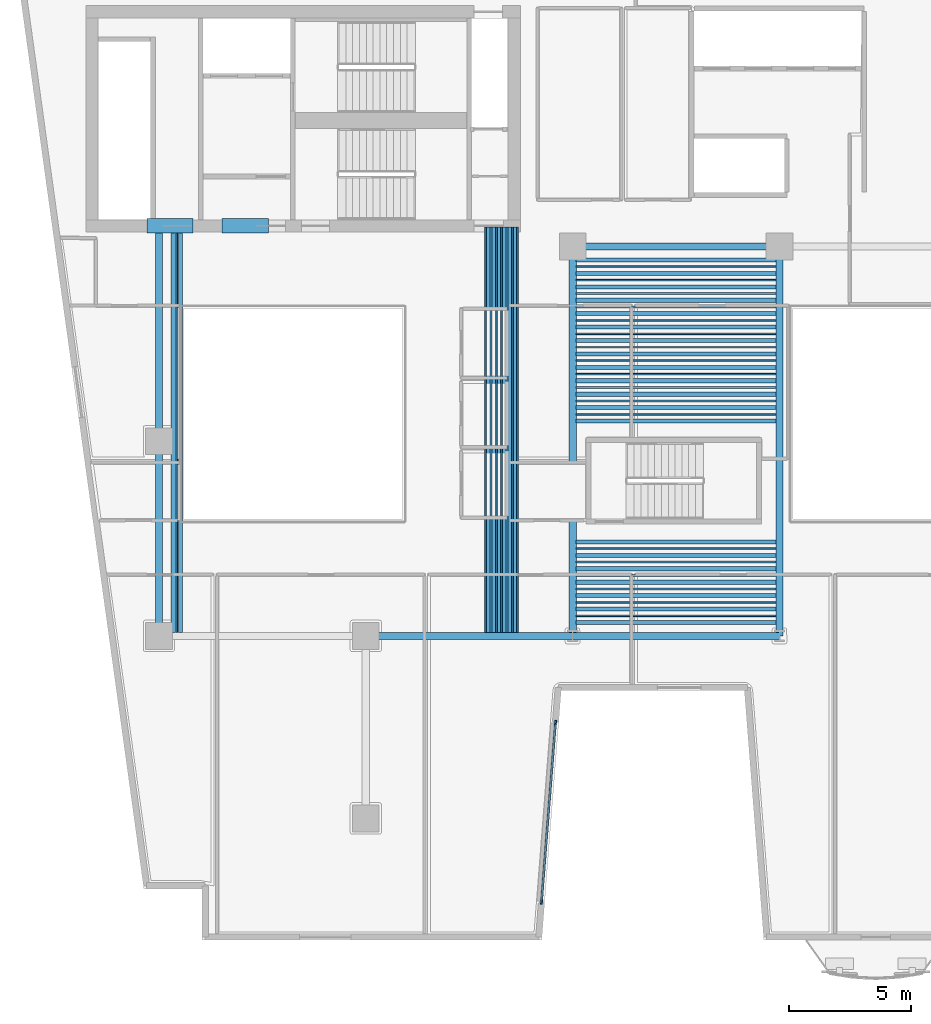
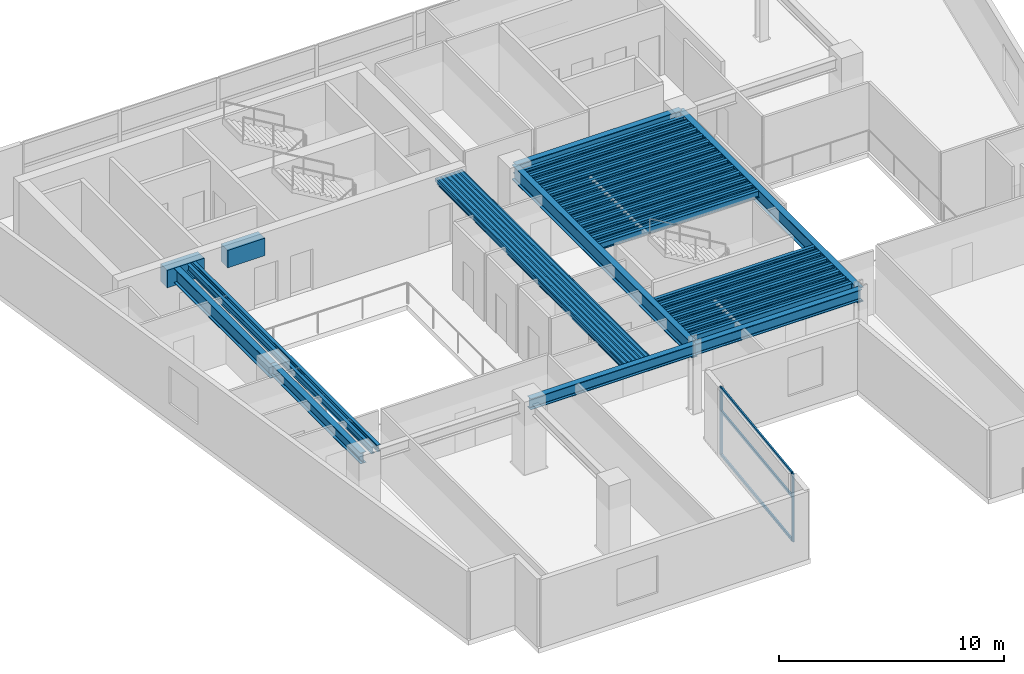
# One storey, part 2 of 12: 63 beams, 5 members, 1 element without a shape of its own.
"""IFC4 building model written with IfcOpenShell, lengths in metres."""

import ifcopenshell
import ifcopenshell.guid

model = None  # the IFC model being written
_history = None  # IfcOwnerHistory: only IFC2X3 demands one
_inside = {}  # id of a spatial element -> (the spatial element, [elements in it])
_under = {}  # id of a project, library or spatial element -> (it, [spatial elements below it])
_declared = {}  # id of a project -> (the project, [libraries it declares])
_typed = {}  # id of a type object -> (the type object, [elements of that type])
_made_of = {}  # id of a material, layer set ... -> (it, [elements and type objects made of it])


def new_model(schema):
    """Start an empty IFC model of exactly this schema.

    Asked for "IFC4X3", IfcOpenShell would pick the latest addendum, in which some entities
    have other attributes; the version numbers below select the first issue.
    IFC2X3 requires an IfcOwnerHistory on every rooted entity: one is made here for all.
    """
    global model, _history
    if schema == "IFC4X3":
        model = ifcopenshell.file(schema_version=(4, 3, 0, 0))
    else:
        model = ifcopenshell.file(schema=schema)
    _inside.clear()
    _under.clear()
    _declared.clear()
    _typed.clear()
    _made_of.clear()
    _history = None
    if model.schema == "IFC2X3":
        org = make("IfcOrganization", Name="unknown")
        user = make(
            "IfcPersonAndOrganization",
            ThePerson=make("IfcPerson", FamilyName="unknown"),
            TheOrganization=org,
        )
        app = make(
            "IfcApplication",
            ApplicationDeveloper=org,
            Version="unknown",
            ApplicationFullName="unknown",
            ApplicationIdentifier="unknown",
        )
        _history = make(
            "IfcOwnerHistory",
            OwningUser=user,
            OwningApplication=app,
            ChangeAction="ADDED",
            CreationDate=0,
        )
    return model


def make(cls, **values):
    """One entity of the class cls with the attributes given. An attribute that is None is left unset."""
    return model.create_entity(
        cls, **{name: value for name, value in values.items() if value is not None}
    )


def rooted(cls, **values):
    """An entity with a GlobalId (a new one), such as an element, a storey or a relation."""
    return make(cls, GlobalId=ifcopenshell.guid.new(), OwnerHistory=_history, **values)


def si_unit(unit_type, name, prefix=None):
    """IfcSIUnit, for example si_unit("LENGTHUNIT", "METRE", prefix="MILLI")."""
    return make("IfcSIUnit", UnitType=unit_type, Prefix=prefix, Name=name)


def assignment(units):
    """IfcUnitAssignment: the units of a project."""
    return None if units is None else make("IfcUnitAssignment", Units=units)


def point(xyz):
    """IfcCartesianPoint."""
    return None if xyz is None else make("IfcCartesianPoint", Coordinates=xyz)


def direction(xyz):
    """IfcDirection."""
    return None if xyz is None else make("IfcDirection", DirectionRatios=xyz)


def frame(location, z_axis=None, x_axis=None):
    """IfcAxis2Placement3D, a coordinate frame: its origin and axes. An axis left out is left unset."""
    return make(
        "IfcAxis2Placement3D",
        Location=point(location),
        Axis=direction(z_axis),
        RefDirection=direction(x_axis),
    )


def frame_2d(location, x_axis=None):
    """IfcAxis2Placement2D, a coordinate frame in the plane: its origin and x axis."""
    return make(
        "IfcAxis2Placement2D", Location=point(location), RefDirection=direction(x_axis)
    )


def origin():
    """The frame at (0, 0, 0) with its axes left unset."""
    return frame((0.0, 0.0, 0.0))


def origin_2d():
    """The frame at (0, 0) in the plane with its x axis left unset."""
    return frame_2d((0.0, 0.0))


def place(relative_to, where):
    """IfcLocalPlacement: puts the frame where relative to a parent placement (None: the world)."""
    return make(
        "IfcLocalPlacement", PlacementRelTo=relative_to, RelativePlacement=where
    )


def context(
    kind, dimensions, precision=None, world=None, true_north=None, identifier=None
):
    """IfcGeometricRepresentationContext, for example the 3D "Model" context."""
    return make(
        "IfcGeometricRepresentationContext",
        ContextIdentifier=identifier,
        ContextType=kind,
        CoordinateSpaceDimension=dimensions,
        Precision=precision,
        WorldCoordinateSystem=world,
        TrueNorth=true_north,
    )


def subcontext(parent, identifier, kind, view, scale=None):
    """IfcGeometricRepresentationSubContext, for example "Body" below "Model"."""
    return make(
        "IfcGeometricRepresentationSubContext",
        ContextIdentifier=identifier,
        ContextType=kind,
        ParentContext=parent,
        TargetScale=scale,
        TargetView=view,
    )


def project(units=None, contexts=None):
    """IfcProject with its units and contexts."""
    return rooted(
        "IfcProject",
        Name="project",
        RepresentationContexts=contexts,
        UnitsInContext=assignment(units),
    )


def spatial(cls, under=None, at=None, **own):
    """A site, building, storey or space (cls), placed at a placement, below another one or the project."""
    s = rooted(cls, ObjectPlacement=at, **own)
    if under is not None:
        _under.setdefault(under.id(), (under, []))[1].append(s)
    return s


def profile(cls, at=None, kind="AREA", **sizes):
    """A parametric profile (cls). Its sizes go by their IFC names, for example OverallWidth=200.0."""
    return make(cls, ProfileType=kind, Position=at, **sizes)


def rectangle(**sizes):
    """IfcRectangleProfileDef."""
    return profile("IfcRectangleProfileDef", **sizes)


def hollow_rectangle(**sizes):
    """IfcRectangleHollowProfileDef."""
    return profile("IfcRectangleHollowProfileDef", **sizes)


def i_section(**sizes):
    """IfcIShapeProfileDef."""
    return profile("IfcIShapeProfileDef", **sizes)


def extrude(swept, where, along, depth):
    """IfcExtrudedAreaSolid: the profile swept, set in the frame where, extruded along a direction by depth."""
    return make(
        "IfcExtrudedAreaSolid",
        SweptArea=swept,
        Position=where,
        ExtrudedDirection=direction(along),
        Depth=depth,
    )


def shape(context_of_items, identifier, shape_type, items):
    """IfcShapeRepresentation: the items that make up one representation, for example the "Body"."""
    return make(
        "IfcShapeRepresentation",
        ContextOfItems=context_of_items,
        RepresentationIdentifier=identifier,
        RepresentationType=shape_type,
        Items=items,
    )


def material(Name=None, Category=None):
    """IfcMaterial."""
    return make("IfcMaterial", Name=Name, Category=Category)


def layer(
    of_material, thickness, ventilated=None, Name=None, Category=None, Priority=None
):
    """IfcMaterialLayer: one layer of a wall or slab, of a material (None: an air gap)."""
    return make(
        "IfcMaterialLayer",
        Material=of_material,
        LayerThickness=thickness,
        IsVentilated=ventilated,
        Name=Name,
        Category=Category,
        Priority=Priority,
    )


def layer_set(layers, Name=None):
    """IfcMaterialLayerSet."""
    return make("IfcMaterialLayerSet", MaterialLayers=layers, LayerSetName=Name)


def material_profile(
    of_material, cross_section, Name=None, Category=None, Priority=None
):
    """IfcMaterialProfile: a cross section and its material."""
    return make(
        "IfcMaterialProfile",
        Name=Name,
        Material=of_material,
        Profile=cross_section,
        Priority=Priority,
        Category=Category,
    )


def profile_set(profiles, Name=None, composite=None):
    """IfcMaterialProfileSet."""
    return make(
        "IfcMaterialProfileSet",
        Name=Name,
        MaterialProfiles=profiles,
        CompositeProfile=composite,
    )


def made_of(thing, what):
    """Note that an element or type object is made of a material, layer set ...; save() writes the relation."""
    if what is not None:
        _made_of.setdefault(what.id(), (what, []))[1].append(thing)
    return thing


def type_object(cls, material=None, **own):
    """A type object (cls), such as IfcWallType, which elements share."""
    return made_of(rooted(cls, **own), material)


def element(
    cls,
    number,
    at=None,
    inside=None,
    cuts=None,
    type_object=None,
    material=None,
    context=None,
    identifier="Body",
    shape_type=None,
    held_by="IfcProductDefinitionShape",
    body=None,
    shapes=None,
    **own,
):
    """One element of the class cls, such as IfcWall. Its Tag is "e" and its number.

    at: its placement. inside: the storey or other place that contains it. cuts: it is an
    opening in that element (IfcRelVoidsElement). A single representation is given by context,
    identifier, shape_type and body (its items); several are given by shapes. held_by: the class
    of the entity that holds the representations. save() writes the other relations.
    """
    e = rooted(cls, Tag="e%d" % number, ObjectPlacement=at, **own)
    if body is not None:
        shapes = [shape(context, identifier, shape_type, body)]
    if shapes is not None:
        e.Representation = make(held_by, Representations=shapes)
    if inside is not None:
        _inside.setdefault(inside.id(), (inside, []))[1].append(e)
    if cuts is not None:
        rooted(
            "IfcRelVoidsElement", RelatingBuildingElement=cuts, RelatedOpeningElement=e
        )
    if type_object is not None:
        _typed.setdefault(type_object.id(), (type_object, []))[1].append(e)
    return made_of(e, material)


def aggregate(whole, parts):
    """IfcRelAggregates: a whole, such as a stair, and the parts it consists of."""
    return rooted("IfcRelAggregates", RelatingObject=whole, RelatedObjects=parts)


def save(model, path):
    """Write the relations noted so far, then the file.

    IfcRelAggregates (storeys below a building ...), IfcRelContainedInSpatialStructure (elements
    in a storey), IfcRelDefinesByType, IfcRelAssociatesMaterial and IfcRelDeclares: one each for
    every whole, place, type object, material and project.
    """
    for whole, parts in _under.values():
        aggregate(whole, parts)
    for where, things in _inside.values():
        rooted(
            "IfcRelContainedInSpatialStructure",
            RelatedElements=things,
            RelatingStructure=where,
        )
    for kind, things in _typed.values():
        rooted("IfcRelDefinesByType", RelatedObjects=things, RelatingType=kind)
    for what, things in _made_of.values():
        rooted("IfcRelAssociatesMaterial", RelatedObjects=things, RelatingMaterial=what)
    for by, libraries in _declared.values():
        rooted("IfcRelDeclares", RelatingContext=by, RelatedDefinitions=libraries)
    model.write(path)


model = new_model("IFC4")

# Units and contexts
model_context = context("Model", 3, precision=1e-05, world=origin(), true_north=direction((0.0, 1.0)))
body_context = subcontext(model_context, "Body", "Model", "MODEL_VIEW")
ifc_project = project(units=[si_unit("LENGTHUNIT", "METRE"), si_unit("AREAUNIT", "SQUARE_METRE"), si_unit("VOLUMEUNIT", "CUBIC_METRE"), si_unit("PLANEANGLEUNIT", "RADIAN"), si_unit("MASSUNIT", "GRAM", prefix="KILO")], contexts=[model_context])

# Site, building, storey
site_placement = place(None, origin())
site = spatial("IfcSite", under=ifc_project, at=site_placement, CompositionType="ELEMENT")
building_placement = place(site_placement, origin())
building = spatial("IfcBuilding", under=site, at=building_placement, Name="Caeloran Harvest Quay", CompositionType="ELEMENT")
storey_placement = place(building_placement, frame((0.0, 0.0, 150.89990234375)))
storey = spatial("IfcBuildingStorey", under=building, at=storey_placement, Name="L35", CompositionType="ELEMENT", Elevation=150.89990234375)

# Beams
ifc_material_1 = material(Name="Concrete C60/75", Category="concrete")
ifc_material_profile_1 = material_profile(ifc_material_1, rectangle(XDim=0.60009765625, YDim=0.949951171875, at=origin_2d()), Name="RC 600x950")
ifc_profile_set_1 = profile_set([ifc_material_profile_1], Name="Concrete C60/75")
beam_type_1 = type_object("IfcBeamType", Name="BM-CB-2-RC_600x950", PredefinedType="LINTEL", material=ifc_profile_set_1)
for number, where, z_axis, x_axis, name in (
    (1, (8.0, 31.85009765625, 3.215087890625), (1.0, 0.0, 0.0), (0.0, 1.0, 0.0), "L35 Core Coupling Beam 1"),
    (2, (11.10009765625, 31.85009765625, 3.215087890625), (1.0, 0.0, 0.0), (0.0, 1.0, 0.0), "L35 Core Coupling Beam 2"),
):
    element("IfcBeam", number, at=place(storey_placement, frame(where, z_axis=z_axis, x_axis=x_axis)), inside=storey, type_object=beam_type_1, Name=name, PredefinedType="LINTEL", context=body_context, shape_type="SweptSolid", body=[
        extrude(rectangle(XDim=0.60009765625, YDim=0.949951171875, at=origin_2d()), origin(), (0.0, 0.0, 1.0), 1.89990234375),
    ])
ifc_material_2 = material(Name="Steel S355J2", Category="steel")
ifc_material_profile_2 = material_profile(ifc_material_2, i_section(OverallWidth=0.300048828125, OverallDepth=0.800048828125, WebThickness=0.017578125, FlangeThickness=0.032958984375, FilletRadius=0.030029296875, at=origin_2d()), Name="HE 800 B")
ifc_profile_set_2 = profile_set([ifc_material_profile_2], Name="Steel S355J2")
beam_type_2 = type_object("IfcBeamType", Name="BM-PG-1-HE_800_B", PredefinedType="BEAM", material=ifc_profile_set_2)
beam_1_placement = place(storey_placement, frame((8.5, 23.0, 3.2900390625), z_axis=(0.0, 1.0, 0.0), x_axis=(-1.0, 0.0, 0.0)))
element("IfcBeam", 3, at=beam_1_placement, inside=storey, type_object=beam_type_2, Name="L35 Core South Tie Girder X=8.5", PredefinedType="BEAM", context=body_context, shape_type="SweptSolid", body=[
    extrude(i_section(OverallWidth=0.300048828125, OverallDepth=0.800048828125, WebThickness=0.017578125, FlangeThickness=0.032958984375, FilletRadius=0.030029296875, at=origin_2d()), origin(), (0.0, 0.0, 1.0), 8.800048828125),
])
for number, where, z_axis, x_axis, name in (
    (4, (25.5, 15.0, 3.2900390625), (0.0, 1.0, 0.0), (-1.0, 0.0, 0.0), "L35 Primary North-South Girder X=25.5"),
    (5, (34.0, 15.0, 3.2900390625), (0.0, 1.0, 0.0), (-1.0, 0.0, 0.0), "L35 Primary North-South Girder X=34.0"),
):
    element("IfcBeam", number, at=place(storey_placement, frame(where, z_axis=z_axis, x_axis=x_axis)), inside=storey, type_object=beam_type_2, Name=name, PredefinedType="BEAM", context=body_context, shape_type="SweptSolid", body=[
        extrude(i_section(OverallWidth=0.300048828125, OverallDepth=0.800048828125, WebThickness=0.017578125, FlangeThickness=0.032958984375, FilletRadius=0.030029296875, at=origin_2d()), origin(), (0.0, 0.0, 1.0), 16.0),
    ])
ifc_material_profile_3 = material_profile(ifc_material_2, i_section(OverallWidth=0.300048828125, OverallDepth=0.60009765625, WebThickness=0.015380859375, FlangeThickness=0.030029296875, FilletRadius=0.027099609375, at=origin_2d()), Name="HE 600 B")
ifc_profile_set_3 = profile_set([ifc_material_profile_3], Name="Steel S355J2")
beam_type_3 = type_object("IfcBeamType", Name="BM-PG-3-HE_600_B", PredefinedType="BEAM", material=ifc_profile_set_3)
for number, where, z_axis, x_axis, name in (
    (6, (17.0, 15.0, 3.39013671875), (1.0, 0.0, 0.0), (0.0, 1.0, 0.0), "L35 Primary East-West Girder Y=15.0"),
    (7, (25.5, 15.0, 3.39013671875), (1.0, 0.0, 0.0), (0.0, 1.0, 0.0), "L35 Primary East-West Girder Y=15.0"),
    (8, (25.5, 31.0, 3.39013671875), (1.0, 0.0, 0.0), (0.0, 1.0, 0.0), "L35 Primary East-West Girder Y=31.0"),
):
    element("IfcBeam", number, at=place(storey_placement, frame(where, z_axis=z_axis, x_axis=x_axis)), inside=storey, type_object=beam_type_3, Name=name, PredefinedType="BEAM", context=body_context, shape_type="SweptSolid", body=[
        extrude(i_section(OverallWidth=0.300048828125, OverallDepth=0.60009765625, WebThickness=0.015380859375, FlangeThickness=0.030029296875, FilletRadius=0.027099609375, at=origin_2d()), origin(), (0.0, 0.0, 1.0), 8.5),
    ])
beam_2_placement = place(storey_placement, frame((8.5, 15.0, 3.39013671875), z_axis=(0.0, 1.0, 0.0), x_axis=(-1.0, 0.0, 0.0)))
element("IfcBeam", 9, at=beam_2_placement, inside=storey, type_object=beam_type_3, Name="L35 Primary North-South Girder X=8.5", PredefinedType="BEAM", context=body_context, shape_type="SweptSolid", body=[
    extrude(i_section(OverallWidth=0.300048828125, OverallDepth=0.60009765625, WebThickness=0.015380859375, FlangeThickness=0.030029296875, FilletRadius=0.027099609375, at=origin_2d()), origin(), (0.0, 0.0, 1.0), 8.0),
])
ifc_material_profile_4 = material_profile(ifc_material_2, i_section(OverallWidth=0.169921875, OverallDepth=0.360107421875, WebThickness=0.008056640625, FlangeThickness=0.0126953125, FilletRadius=0.01806640625, at=origin_2d()), Name="IPE 360")
ifc_profile_set_4 = profile_set([ifc_material_profile_4], Name="Steel S355J2")
beam_type_4 = type_object("IfcBeamType", Name="BM-SB-5-IPE_360", PredefinedType="JOIST", material=ifc_profile_set_4)
for number, where, z_axis, x_axis, name in (
    (10, (9.086181640625, 15.14501953125, 3.510009765625), (0.0, 1.0, 0.0), (-1.0, 0.0, 0.0), "L35 Secondary Composite Joist"),
    (11, (9.37939453125, 15.14501953125, 3.510009765625), (0.0, 1.0, 0.0), (-1.0, 0.0, 0.0), "L35 Secondary Composite Joist"),
    (12, (22.0361328125, 15.14501953125, 3.510009765625), (0.0, 1.0, 0.0), (-1.0, 0.0, 0.0), "L35 Secondary Composite Joist"),
    (13, (22.255126953125, 15.14501953125, 3.510009765625), (0.0, 1.0, 0.0), (-1.0, 0.0, 0.0), "L35 Secondary Composite Joist"),
    (14, (22.47412109375, 15.14501953125, 3.510009765625), (0.0, 1.0, 0.0), (-1.0, 0.0, 0.0), "L35 Secondary Composite Joist"),
    (15, (22.693115234375, 15.14501953125, 3.510009765625), (0.0, 1.0, 0.0), (-1.0, 0.0, 0.0), "L35 Secondary Composite Joist"),
    (16, (22.912109375, 15.14501953125, 3.510009765625), (0.0, 1.0, 0.0), (-1.0, 0.0, 0.0), "L35 Secondary Composite Joist"),
    (17, (23.131103515625, 15.14501953125, 3.510009765625), (0.0, 1.0, 0.0), (-1.0, 0.0, 0.0), "L35 Secondary Composite Joist"),
):
    element("IfcBeam", number, at=place(storey_placement, frame(where, z_axis=z_axis, x_axis=x_axis)), inside=storey, type_object=beam_type_4, Name=name, PredefinedType="JOIST", context=body_context, shape_type="SweptSolid", body=[
        extrude(i_section(OverallWidth=0.169921875, OverallDepth=0.360107421875, WebThickness=0.008056640625, FlangeThickness=0.0126953125, FilletRadius=0.01806640625, at=origin_2d()), origin(), (0.0, 0.0, 1.0), 16.655029296875),
    ])
for number, where, z_axis, x_axis, name in (
    (18, (25.64501953125, 15.5517578125, 3.510009765625), (1.0, 0.0, 0.0), (0.0, 1.0, 0.0), "L35 Secondary East-West Composite Joist"),
    (19, (25.64501953125, 16.103515625, 3.510009765625), (1.0, 0.0, 0.0), (0.0, 1.0, 0.0), "L35 Secondary East-West Composite Joist"),
    (20, (25.64501953125, 16.6552734375, 3.510009765625), (1.0, 0.0, 0.0), (0.0, 1.0, 0.0), "L35 Secondary East-West Composite Joist"),
    (21, (25.64501953125, 17.206787109375, 3.510009765625), (1.0, 0.0, 0.0), (0.0, 1.0, 0.0), "L35 Secondary East-West Composite Joist"),
    (22, (25.64501953125, 17.758544921875, 3.510009765625), (1.0, 0.0, 0.0), (0.0, 1.0, 0.0), "L35 Secondary East-West Composite Joist"),
    (23, (25.64501953125, 18.310302734375, 3.510009765625), (1.0, 0.0, 0.0), (0.0, 1.0, 0.0), "L35 Secondary East-West Composite Joist"),
    (24, (25.64501953125, 18.862060546875, 3.510009765625), (1.0, 0.0, 0.0), (0.0, 1.0, 0.0), "L35 Secondary East-West Composite Joist"),
    (25, (25.64501953125, 23.82763671875, 3.510009765625), (1.0, 0.0, 0.0), (0.0, 1.0, 0.0), "L35 Secondary East-West Composite Joist"),
    (26, (25.64501953125, 24.37939453125, 3.510009765625), (1.0, 0.0, 0.0), (0.0, 1.0, 0.0), "L35 Secondary East-West Composite Joist"),
    (27, (25.64501953125, 24.930908203125, 3.510009765625), (1.0, 0.0, 0.0), (0.0, 1.0, 0.0), "L35 Secondary East-West Composite Joist"),
    (28, (25.64501953125, 25.48291015625, 3.510009765625), (1.0, 0.0, 0.0), (0.0, 1.0, 0.0), "L35 Secondary East-West Composite Joist"),
    (29, (25.64501953125, 26.034423828125, 3.510009765625), (1.0, 0.0, 0.0), (0.0, 1.0, 0.0), "L35 Secondary East-West Composite Joist"),
    (30, (25.64501953125, 26.586181640625, 3.510009765625), (1.0, 0.0, 0.0), (0.0, 1.0, 0.0), "L35 Secondary East-West Composite Joist"),
    (31, (25.64501953125, 27.137939453125, 3.510009765625), (1.0, 0.0, 0.0), (0.0, 1.0, 0.0), "L35 Secondary East-West Composite Joist"),
    (32, (25.64501953125, 27.689697265625, 3.510009765625), (1.0, 0.0, 0.0), (0.0, 1.0, 0.0), "L35 Secondary East-West Composite Joist"),
    (33, (25.64501953125, 28.241455078125, 3.510009765625), (1.0, 0.0, 0.0), (0.0, 1.0, 0.0), "L35 Secondary East-West Composite Joist"),
    (34, (25.64501953125, 28.793212890625, 3.510009765625), (1.0, 0.0, 0.0), (0.0, 1.0, 0.0), "L35 Secondary East-West Composite Joist"),
    (35, (25.64501953125, 29.3447265625, 3.510009765625), (1.0, 0.0, 0.0), (0.0, 1.0, 0.0), "L35 Secondary East-West Composite Joist"),
    (36, (25.64501953125, 29.896484375, 3.510009765625), (1.0, 0.0, 0.0), (0.0, 1.0, 0.0), "L35 Secondary East-West Composite Joist"),
    (37, (25.64501953125, 30.4482421875, 3.510009765625), (1.0, 0.0, 0.0), (0.0, 1.0, 0.0), "L35 Secondary East-West Composite Joist"),
):
    element("IfcBeam", number, at=place(storey_placement, frame(where, z_axis=z_axis, x_axis=x_axis)), inside=storey, type_object=beam_type_4, Name=name, PredefinedType="JOIST", context=body_context, shape_type="SweptSolid", body=[
        extrude(i_section(OverallWidth=0.169921875, OverallDepth=0.360107421875, WebThickness=0.008056640625, FlangeThickness=0.0126953125, FilletRadius=0.01806640625, at=origin_2d()), origin(), (0.0, 0.0, 1.0), 8.2099609375),
    ])
ifc_material_profile_5 = material_profile(ifc_material_2, hollow_rectangle(XDim=0.080078125, YDim=0.199951171875, WallThickness=0.006103515625, InnerFilletRadius=0.006103515625, OuterFilletRadius=0.009033203125, at=origin_2d()), Name="RHS 200x80x6")
ifc_profile_set_5 = profile_set([ifc_material_profile_5], Name="Steel S355J2")
beam_type_5 = type_object("IfcBeamType", Name="BM-SB-7-RHS_200x80x6", PredefinedType="JOIST", material=ifc_profile_set_5)
for number, where, z_axis, x_axis, name in (
    (38, (9.23291015625, 15.14501953125, 3.590087890625), (0.0, 1.0, 0.0), (-1.0, 0.0, 0.0), "L35 Secondary Composite Joist"),
    (39, (21.9267578125, 15.14501953125, 3.590087890625), (0.0, 1.0, 0.0), (-1.0, 0.0, 0.0), "L35 Secondary Composite Joist"),
    (40, (22.145751953125, 15.14501953125, 3.590087890625), (0.0, 1.0, 0.0), (-1.0, 0.0, 0.0), "L35 Secondary Composite Joist"),
    (41, (22.36474609375, 15.14501953125, 3.590087890625), (0.0, 1.0, 0.0), (-1.0, 0.0, 0.0), "L35 Secondary Composite Joist"),
    (42, (22.58349609375, 15.14501953125, 3.590087890625), (0.0, 1.0, 0.0), (-1.0, 0.0, 0.0), "L35 Secondary Composite Joist"),
    (43, (22.802490234375, 15.14501953125, 3.590087890625), (0.0, 1.0, 0.0), (-1.0, 0.0, 0.0), "L35 Secondary Composite Joist"),
    (44, (23.021484375, 15.14501953125, 3.590087890625), (0.0, 1.0, 0.0), (-1.0, 0.0, 0.0), "L35 Secondary Composite Joist"),
    (45, (23.240478515625, 15.14501953125, 3.590087890625), (0.0, 1.0, 0.0), (-1.0, 0.0, 0.0), "L35 Secondary Composite Joist"),
):
    element("IfcBeam", number, at=place(storey_placement, frame(where, z_axis=z_axis, x_axis=x_axis)), inside=storey, type_object=beam_type_5, Name=name, PredefinedType="JOIST", context=body_context, shape_type="SweptSolid", body=[
        extrude(hollow_rectangle(XDim=0.080078125, YDim=0.199951171875, WallThickness=0.006103515625, InnerFilletRadius=0.006103515625, OuterFilletRadius=0.009033203125, at=origin_2d()), origin(), (0.0, 0.0, 1.0), 16.655029296875),
    ])
for number, where, z_axis, x_axis, name in (
    (46, (25.64501953125, 15.82763671875, 3.590087890625), (1.0, 0.0, 0.0), (0.0, 1.0, 0.0), "L35 Secondary East-West Composite Joist"),
    (47, (25.64501953125, 16.37939453125, 3.590087890625), (1.0, 0.0, 0.0), (0.0, 1.0, 0.0), "L35 Secondary East-West Composite Joist"),
    (48, (25.64501953125, 16.930908203125, 3.590087890625), (1.0, 0.0, 0.0), (0.0, 1.0, 0.0), "L35 Secondary East-West Composite Joist"),
    (49, (25.64501953125, 17.48291015625, 3.590087890625), (1.0, 0.0, 0.0), (0.0, 1.0, 0.0), "L35 Secondary East-West Composite Joist"),
    (50, (25.64501953125, 18.034423828125, 3.590087890625), (1.0, 0.0, 0.0), (0.0, 1.0, 0.0), "L35 Secondary East-West Composite Joist"),
    (51, (25.64501953125, 18.586181640625, 3.590087890625), (1.0, 0.0, 0.0), (0.0, 1.0, 0.0), "L35 Secondary East-West Composite Joist"),
    (52, (25.64501953125, 24.103515625, 3.590087890625), (1.0, 0.0, 0.0), (0.0, 1.0, 0.0), "L35 Secondary East-West Composite Joist"),
    (53, (25.64501953125, 24.6552734375, 3.590087890625), (1.0, 0.0, 0.0), (0.0, 1.0, 0.0), "L35 Secondary East-West Composite Joist"),
    (54, (25.64501953125, 25.206787109375, 3.590087890625), (1.0, 0.0, 0.0), (0.0, 1.0, 0.0), "L35 Secondary East-West Composite Joist"),
    (55, (25.64501953125, 25.758544921875, 3.590087890625), (1.0, 0.0, 0.0), (0.0, 1.0, 0.0), "L35 Secondary East-West Composite Joist"),
    (56, (25.64501953125, 26.310302734375, 3.590087890625), (1.0, 0.0, 0.0), (0.0, 1.0, 0.0), "L35 Secondary East-West Composite Joist"),
    (57, (25.64501953125, 26.862060546875, 3.590087890625), (1.0, 0.0, 0.0), (0.0, 1.0, 0.0), "L35 Secondary East-West Composite Joist"),
    (58, (25.64501953125, 27.413818359375, 3.590087890625), (1.0, 0.0, 0.0), (0.0, 1.0, 0.0), "L35 Secondary East-West Composite Joist"),
    (59, (25.64501953125, 27.965576171875, 3.590087890625), (1.0, 0.0, 0.0), (0.0, 1.0, 0.0), "L35 Secondary East-West Composite Joist"),
    (60, (25.64501953125, 28.51708984375, 3.590087890625), (1.0, 0.0, 0.0), (0.0, 1.0, 0.0), "L35 Secondary East-West Composite Joist"),
    (61, (25.64501953125, 29.069091796875, 3.590087890625), (1.0, 0.0, 0.0), (0.0, 1.0, 0.0), "L35 Secondary East-West Composite Joist"),
    (62, (25.64501953125, 29.62060546875, 3.590087890625), (1.0, 0.0, 0.0), (0.0, 1.0, 0.0), "L35 Secondary East-West Composite Joist"),
    (63, (25.64501953125, 30.17236328125, 3.590087890625), (1.0, 0.0, 0.0), (0.0, 1.0, 0.0), "L35 Secondary East-West Composite Joist"),
):
    element("IfcBeam", number, at=place(storey_placement, frame(where, z_axis=z_axis, x_axis=x_axis)), inside=storey, type_object=beam_type_5, Name=name, PredefinedType="JOIST", context=body_context, shape_type="SweptSolid", body=[
        extrude(hollow_rectangle(XDim=0.080078125, YDim=0.199951171875, WallThickness=0.006103515625, InnerFilletRadius=0.006103515625, OuterFilletRadius=0.009033203125, at=origin_2d()), origin(), (0.0, 0.0, 1.0), 8.2099609375),
    ])

# Curtain wall, members
ifc_material_3 = material(Name="Aluminium 6063-T6 and Low-E Glazing", Category="aluminium")
ifc_layer = layer(ifc_material_3, 0.22998046875, Name="Aluminium 6063-T6 and Low-E Glazing")
ifc_layer_set = layer_set([ifc_layer], Name="Aluminium 6063-T6 and Low-E Glazing")
curtain_wall_type = type_object("IfcCurtainWallType", Name="CW-SYS-CW-6", PredefinedType="USERDEFINED", material=ifc_layer_set)
curtain_wall_placement = place(storey_placement, origin())
curtain_wall = element("IfcCurtainWall", 64, at=curtain_wall_placement, inside=storey, type_object=curtain_wall_type, Name="L35 Unitised Curtain Wall CW-6 Run 15", ObjectType="CURTAIN_WALL", PredefinedType="USERDEFINED")
ifc_material_4 = material(Name="Aluminium 6063-T6", Category="aluminium")
ifc_material_profile_6 = material_profile(ifc_material_4, rectangle(XDim=0.080078125, YDim=0.179931640625, at=origin_2d()), Name="CW-MULLION-180")
ifc_profile_set_6 = profile_set([ifc_material_profile_6], Name="Aluminium 6063-T6")
member_type_1 = type_object("IfcMemberType", Name="CW-MULLION-180", PredefinedType="MULLION", material=ifc_profile_set_6)
member_1_placement = place(storey_placement, frame((24.7978515625, 11.4443359375, 0.0), z_axis=(0.0, 0.0, 1.0), x_axis=(0.996967280277, -0.077821861046, 0.0)))
member_1 = element("IfcMember", 65, at=member_1_placement, type_object=member_type_1, Name="CW-6 mullion 1", PredefinedType="MULLION", context=body_context, shape_type="SweptSolid", body=[
    extrude(rectangle(XDim=0.080078125, YDim=0.179931640625, at=origin_2d()), origin(), (0.0, 0.0, 1.0), 3.690185546875),
])
member_2_placement = place(storey_placement, frame((24.221923828125, 4.065673828125, 0.0), z_axis=(0.0, 0.0, 1.0), x_axis=(0.996967280277, -0.077821861046, 0.0)))
member_2 = element("IfcMember", 66, at=member_2_placement, type_object=member_type_1, Name="CW-6 mullion 2", PredefinedType="MULLION", context=body_context, shape_type="SweptSolid", body=[
    extrude(rectangle(XDim=0.080078125, YDim=0.179931640625, at=origin_2d()), origin(), (0.0, 0.0, 1.0), 3.690185546875),
])
ifc_material_profile_7 = material_profile(ifc_material_4, rectangle(XDim=0.080078125, YDim=0.14990234375, at=origin_2d()), Name="CW-TRANSOM-150")
ifc_profile_set_7 = profile_set([ifc_material_profile_7], Name="Aluminium 6063-T6")
member_type_2 = type_object("IfcMemberType", Name="CW-TRANSOM-150", PredefinedType="USERDEFINED", material=ifc_profile_set_7)
member_3_placement = place(storey_placement, frame((24.794677734375, 11.404541015625, 0.0400390625), z_axis=(-0.077831218093, -0.996966549835, 0.0), x_axis=(0.996966549835, -0.077831218093, 0.0)))
member_3 = element("IfcMember", 67, at=member_3_placement, type_object=member_type_2, Name="CW-6 transom 1.1", ObjectType="TRANSOM", PredefinedType="USERDEFINED", context=body_context, shape_type="SweptSolid", body=[
    extrude(rectangle(XDim=0.080078125, YDim=0.14990234375, at=origin_2d()), origin(), (0.0, 0.0, 1.0), 7.3212890625),
])
member_4_placement = place(storey_placement, frame((24.794677734375, 11.404541015625, 2.400146484375), z_axis=(-0.077831218093, -0.996966549835, 0.0), x_axis=(0.996966549835, -0.077831218093, 0.0)))
member_4 = element("IfcMember", 68, at=member_4_placement, type_object=member_type_2, Name="CW-6 transom 1.2", ObjectType="TRANSOM", PredefinedType="USERDEFINED", context=body_context, shape_type="SweptSolid", body=[
    extrude(rectangle(XDim=0.080078125, YDim=0.14990234375, at=origin_2d()), origin(), (0.0, 0.0, 1.0), 7.3212890625),
])
member_5_placement = place(storey_placement, frame((24.794677734375, 11.404541015625, 3.650146484375), z_axis=(-0.077831218093, -0.996966549835, 0.0), x_axis=(0.996966549835, -0.077831218093, 0.0)))
member_5 = element("IfcMember", 69, at=member_5_placement, type_object=member_type_2, Name="CW-6 transom 1.3", ObjectType="TRANSOM", PredefinedType="USERDEFINED", context=body_context, shape_type="SweptSolid", body=[
    extrude(rectangle(XDim=0.080078125, YDim=0.14990234375, at=origin_2d()), origin(), (0.0, 0.0, 1.0), 7.3212890625),
])
aggregate(curtain_wall, [member_1, member_2, member_3, member_4, member_5])

save(model, "model.ifc")
